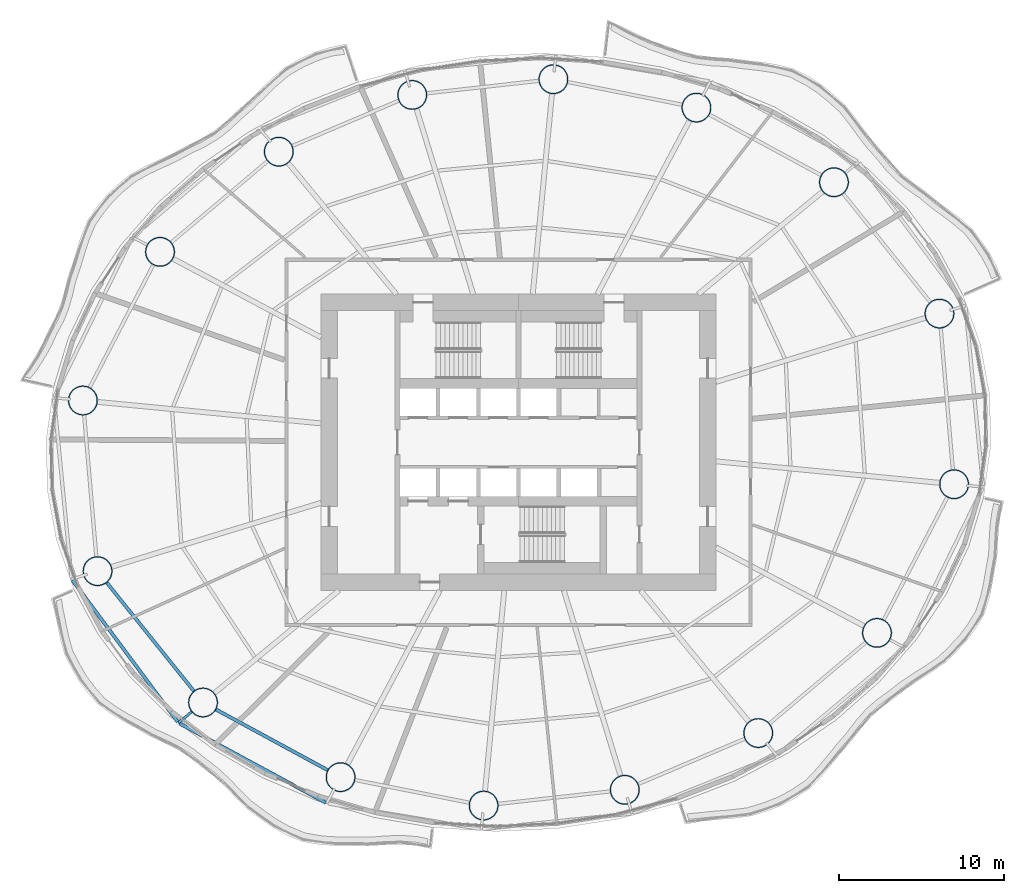
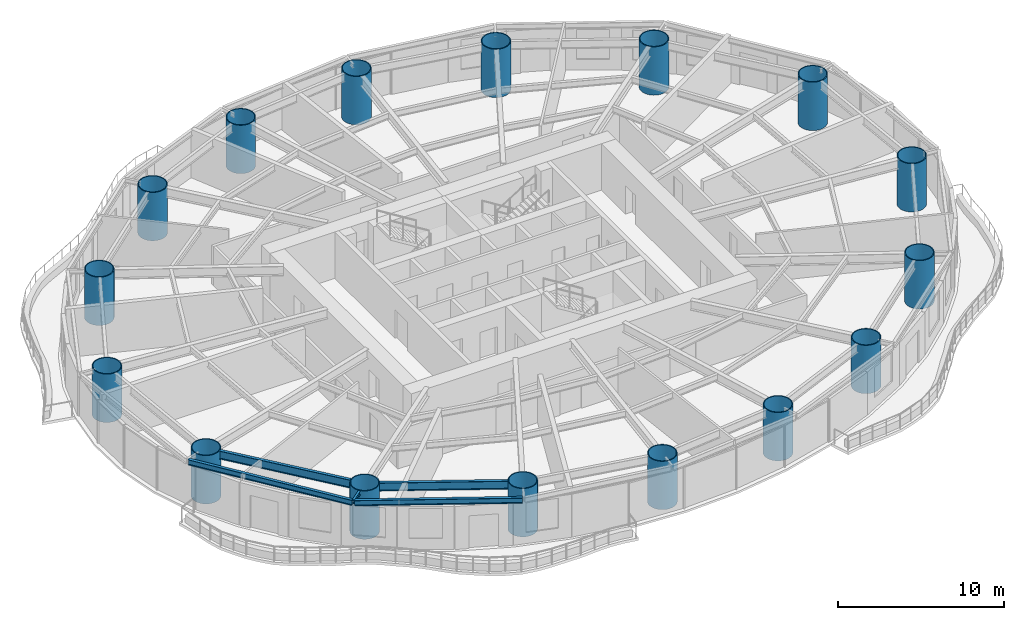
# One storey, part 1 of 16: 16 columns, 5 beams.
"""IFC4 building model written with IfcOpenShell, lengths in metres."""

import ifcopenshell
import ifcopenshell.guid

model = None  # the IFC model being written
_history = None  # IfcOwnerHistory: only IFC2X3 demands one
_inside = {}  # id of a spatial element -> (the spatial element, [elements in it])
_under = {}  # id of a project, library or spatial element -> (it, [spatial elements below it])
_declared = {}  # id of a project -> (the project, [libraries it declares])
_typed = {}  # id of a type object -> (the type object, [elements of that type])
_made_of = {}  # id of a material, layer set ... -> (it, [elements and type objects made of it])


def new_model(schema):
    """Start an empty IFC model of exactly this schema.

    Asked for "IFC4X3", IfcOpenShell would pick the latest addendum, in which some entities
    have other attributes; the version numbers below select the first issue.
    IFC2X3 requires an IfcOwnerHistory on every rooted entity: one is made here for all.
    """
    global model, _history
    if schema == "IFC4X3":
        model = ifcopenshell.file(schema_version=(4, 3, 0, 0))
    else:
        model = ifcopenshell.file(schema=schema)
    _inside.clear()
    _under.clear()
    _declared.clear()
    _typed.clear()
    _made_of.clear()
    _history = None
    if model.schema == "IFC2X3":
        org = make("IfcOrganization", Name="unknown")
        user = make(
            "IfcPersonAndOrganization",
            ThePerson=make("IfcPerson", FamilyName="unknown"),
            TheOrganization=org,
        )
        app = make(
            "IfcApplication",
            ApplicationDeveloper=org,
            Version="unknown",
            ApplicationFullName="unknown",
            ApplicationIdentifier="unknown",
        )
        _history = make(
            "IfcOwnerHistory",
            OwningUser=user,
            OwningApplication=app,
            ChangeAction="ADDED",
            CreationDate=0,
        )
    return model


def make(cls, **values):
    """One entity of the class cls with the attributes given. An attribute that is None is left unset."""
    return model.create_entity(
        cls, **{name: value for name, value in values.items() if value is not None}
    )


def rooted(cls, **values):
    """An entity with a GlobalId (a new one), such as an element, a storey or a relation."""
    return make(cls, GlobalId=ifcopenshell.guid.new(), OwnerHistory=_history, **values)


def si_unit(unit_type, name, prefix=None):
    """IfcSIUnit, for example si_unit("LENGTHUNIT", "METRE", prefix="MILLI")."""
    return make("IfcSIUnit", UnitType=unit_type, Prefix=prefix, Name=name)


def assignment(units):
    """IfcUnitAssignment: the units of a project."""
    return None if units is None else make("IfcUnitAssignment", Units=units)


def point(xyz):
    """IfcCartesianPoint."""
    return None if xyz is None else make("IfcCartesianPoint", Coordinates=xyz)


def direction(xyz):
    """IfcDirection."""
    return None if xyz is None else make("IfcDirection", DirectionRatios=xyz)


def frame(location, z_axis=None, x_axis=None):
    """IfcAxis2Placement3D, a coordinate frame: its origin and axes. An axis left out is left unset."""
    return make(
        "IfcAxis2Placement3D",
        Location=point(location),
        Axis=direction(z_axis),
        RefDirection=direction(x_axis),
    )


def frame_2d(location, x_axis=None):
    """IfcAxis2Placement2D, a coordinate frame in the plane: its origin and x axis."""
    return make(
        "IfcAxis2Placement2D", Location=point(location), RefDirection=direction(x_axis)
    )


def origin():
    """The frame at (0, 0, 0) with its axes left unset."""
    return frame((0.0, 0.0, 0.0))


def origin_2d():
    """The frame at (0, 0) in the plane with its x axis left unset."""
    return frame_2d((0.0, 0.0))


def place(relative_to, where):
    """IfcLocalPlacement: puts the frame where relative to a parent placement (None: the world)."""
    return make(
        "IfcLocalPlacement", PlacementRelTo=relative_to, RelativePlacement=where
    )


def context(
    kind, dimensions, precision=None, world=None, true_north=None, identifier=None
):
    """IfcGeometricRepresentationContext, for example the 3D "Model" context."""
    return make(
        "IfcGeometricRepresentationContext",
        ContextIdentifier=identifier,
        ContextType=kind,
        CoordinateSpaceDimension=dimensions,
        Precision=precision,
        WorldCoordinateSystem=world,
        TrueNorth=true_north,
    )


def subcontext(parent, identifier, kind, view, scale=None):
    """IfcGeometricRepresentationSubContext, for example "Body" below "Model"."""
    return make(
        "IfcGeometricRepresentationSubContext",
        ContextIdentifier=identifier,
        ContextType=kind,
        ParentContext=parent,
        TargetScale=scale,
        TargetView=view,
    )


def project(units=None, contexts=None):
    """IfcProject with its units and contexts."""
    return rooted(
        "IfcProject",
        Name="project",
        RepresentationContexts=contexts,
        UnitsInContext=assignment(units),
    )


def spatial(cls, under=None, at=None, **own):
    """A site, building, storey or space (cls), placed at a placement, below another one or the project."""
    s = rooted(cls, ObjectPlacement=at, **own)
    if under is not None:
        _under.setdefault(under.id(), (under, []))[1].append(s)
    return s


def profile(cls, at=None, kind="AREA", **sizes):
    """A parametric profile (cls). Its sizes go by their IFC names, for example OverallWidth=200.0."""
    return make(cls, ProfileType=kind, Position=at, **sizes)


def hollow_circle(**sizes):
    """IfcCircleHollowProfileDef."""
    return profile("IfcCircleHollowProfileDef", **sizes)


def i_section(**sizes):
    """IfcIShapeProfileDef."""
    return profile("IfcIShapeProfileDef", **sizes)


def extrude(swept, where, along, depth):
    """IfcExtrudedAreaSolid: the profile swept, set in the frame where, extruded along a direction by depth."""
    return make(
        "IfcExtrudedAreaSolid",
        SweptArea=swept,
        Position=where,
        ExtrudedDirection=direction(along),
        Depth=depth,
    )


def shape(context_of_items, identifier, shape_type, items):
    """IfcShapeRepresentation: the items that make up one representation, for example the "Body"."""
    return make(
        "IfcShapeRepresentation",
        ContextOfItems=context_of_items,
        RepresentationIdentifier=identifier,
        RepresentationType=shape_type,
        Items=items,
    )


def material(Name=None, Category=None):
    """IfcMaterial."""
    return make("IfcMaterial", Name=Name, Category=Category)


def material_profile(
    of_material, cross_section, Name=None, Category=None, Priority=None
):
    """IfcMaterialProfile: a cross section and its material."""
    return make(
        "IfcMaterialProfile",
        Name=Name,
        Material=of_material,
        Profile=cross_section,
        Priority=Priority,
        Category=Category,
    )


def profile_set(profiles, Name=None, composite=None):
    """IfcMaterialProfileSet."""
    return make(
        "IfcMaterialProfileSet",
        Name=Name,
        MaterialProfiles=profiles,
        CompositeProfile=composite,
    )


def made_of(thing, what):
    """Note that an element or type object is made of a material, layer set ...; save() writes the relation."""
    if what is not None:
        _made_of.setdefault(what.id(), (what, []))[1].append(thing)
    return thing


def type_object(cls, material=None, **own):
    """A type object (cls), such as IfcWallType, which elements share."""
    return made_of(rooted(cls, **own), material)


def element(
    cls,
    number,
    at=None,
    inside=None,
    cuts=None,
    type_object=None,
    material=None,
    context=None,
    identifier="Body",
    shape_type=None,
    held_by="IfcProductDefinitionShape",
    body=None,
    shapes=None,
    **own,
):
    """One element of the class cls, such as IfcWall. Its Tag is "e" and its number.

    at: its placement. inside: the storey or other place that contains it. cuts: it is an
    opening in that element (IfcRelVoidsElement). A single representation is given by context,
    identifier, shape_type and body (its items); several are given by shapes. held_by: the class
    of the entity that holds the representations. save() writes the other relations.
    """
    e = rooted(cls, Tag="e%d" % number, ObjectPlacement=at, **own)
    if body is not None:
        shapes = [shape(context, identifier, shape_type, body)]
    if shapes is not None:
        e.Representation = make(held_by, Representations=shapes)
    if inside is not None:
        _inside.setdefault(inside.id(), (inside, []))[1].append(e)
    if cuts is not None:
        rooted(
            "IfcRelVoidsElement", RelatingBuildingElement=cuts, RelatedOpeningElement=e
        )
    if type_object is not None:
        _typed.setdefault(type_object.id(), (type_object, []))[1].append(e)
    return made_of(e, material)


def aggregate(whole, parts):
    """IfcRelAggregates: a whole, such as a stair, and the parts it consists of."""
    return rooted("IfcRelAggregates", RelatingObject=whole, RelatedObjects=parts)


def save(model, path):
    """Write the relations noted so far, then the file.

    IfcRelAggregates (storeys below a building ...), IfcRelContainedInSpatialStructure (elements
    in a storey), IfcRelDefinesByType, IfcRelAssociatesMaterial and IfcRelDeclares: one each for
    every whole, place, type object, material and project.
    """
    for whole, parts in _under.values():
        aggregate(whole, parts)
    for where, things in _inside.values():
        rooted(
            "IfcRelContainedInSpatialStructure",
            RelatedElements=things,
            RelatingStructure=where,
        )
    for kind, things in _typed.values():
        rooted("IfcRelDefinesByType", RelatedObjects=things, RelatingType=kind)
    for what, things in _made_of.values():
        rooted("IfcRelAssociatesMaterial", RelatedObjects=things, RelatingMaterial=what)
    for by, libraries in _declared.values():
        rooted("IfcRelDeclares", RelatingContext=by, RelatedDefinitions=libraries)
    model.write(path)


model = new_model("IFC4")

# Units and contexts
model_context = context("Model", 3, precision=1e-05, world=origin(), true_north=direction((0.0, 1.0)))
body_context = subcontext(model_context, "Body", "Model", "MODEL_VIEW")
ifc_project = project(units=[si_unit("LENGTHUNIT", "METRE"), si_unit("AREAUNIT", "SQUARE_METRE"), si_unit("VOLUMEUNIT", "CUBIC_METRE"), si_unit("PLANEANGLEUNIT", "RADIAN"), si_unit("MASSUNIT", "GRAM", prefix="KILO")], contexts=[model_context])

# Site, building, storey
site_placement = place(None, origin())
site = spatial("IfcSite", under=ifc_project, at=site_placement, CompositionType="ELEMENT")
building_placement = place(site_placement, origin())
building = spatial("IfcBuilding", under=site, at=building_placement, Name="Vermilion Reach Broadcast Tower", CompositionType="ELEMENT")
storey_placement = place(building_placement, frame((0.0, 0.0, 58.199951171875)))
storey = spatial("IfcBuildingStorey", under=building, at=storey_placement, Name="L11", CompositionType="ELEMENT", Elevation=58.199951171875)

# Columns
ifc_material_1 = material(Name="Concrete C80 infill in steel S460NL tube", Category="concrete")
ifc_material_profile_1 = material_profile(ifc_material_1, hollow_circle(Radius=0.89990234375, WallThickness=0.06005859375, at=origin_2d()), Name="Concrete C80 infill in steel S460NL tube CFT 1800x60")
ifc_profile_set_1 = profile_set([ifc_material_profile_1], Name="Concrete C80 infill in steel S460NL tube")
column_type = type_object("IfcColumnType", Name="MC1 CFT 1800x60", PredefinedType="COLUMN", material=ifc_profile_set_1)
for number, where, z_axis, x_axis, name in (
    (1, (19.575439453125, 7.823974609375, 0.0), (0.0, 0.0, 1.0), (1.0, 0.0, 0.0), "Mega-column MC1-01"),
    (2, (13.166259765625, 15.804931640625, 0.0), (0.0, 0.0, 1.0), (1.0, 0.0, 0.0), "Mega-column MC1-02"),
    (3, (4.809814453125, 20.3388671875, 0.0), (0.0, 0.0, 1.0), (1.0, 0.0, 0.0), "Mega-column MC1-03"),
    (4, (-3.87939453125, 22.06396484375, 0.0), (0.0, 0.0, 1.0), (1.0, 0.0, 0.0), "Mega-column MC1-04"),
    (5, (-12.45751953125, 21.108154296875, 0.0), (0.0, 0.0, 1.0), (1.0, 0.0, 0.0), "Mega-column MC1-05"),
    (6, (-20.563232421875, 17.660400390625, 0.0), (0.0, 0.0, 1.0), (1.0, 0.0, 0.0), "Mega-column MC1-06"),
    (7, (-27.77978515625, 11.57568359375, 0.0), (0.0, 0.0, 1.0), (1.0, 0.0, 0.0), "Mega-column MC1-07"),
    (8, (-32.464111328125, 2.54345703125, 0.0), (0.0, 0.0, 1.0), (1.0, 0.0, 0.0), "Mega-column MC1-08"),
    (9, (-31.575439453125, -7.823974609375, 0.0), (0.0, 0.0, 1.0), (1.0, 0.0, 0.0), "Mega-column MC1-09"),
    (10, (-25.166259765625, -15.804931640625, 0.0), (0.0, 0.0, 1.0), (1.0, 0.0, 0.0), "Mega-column MC1-10"),
    (11, (-16.809814453125, -20.3388671875, 0.0), (0.0, 0.0, 1.0), (1.0, 0.0, 0.0), "Mega-column MC1-11"),
    (12, (-8.12060546875, -22.06396484375, 0.0), (0.0, 0.0, 1.0), (1.0, 0.0, 0.0), "Mega-column MC1-12"),
    (13, (0.45751953125, -21.108154296875, 0.0), (0.0, 0.0, 1.0), (1.0, 0.0, 0.0), "Mega-column MC1-13"),
    (14, (8.563232421875, -17.660400390625, 0.0), (0.0, 0.0, 1.0), (1.0, 0.0, 0.0), "Mega-column MC1-14"),
    (15, (15.77978515625, -11.57568359375, 0.0), (0.0, 0.0, 1.0), (1.0, 0.0, 0.0), "Mega-column MC1-15"),
    (16, (20.464111328125, -2.54345703125, 0.0), (0.0, 0.0, 1.0), (1.0, 0.0, 0.0), "Mega-column MC1-16"),
):
    element("IfcColumn", number, at=place(storey_placement, frame(where, z_axis=z_axis, x_axis=x_axis)), inside=storey, type_object=column_type, Name=name, PredefinedType="COLUMN", context=body_context, shape_type="SweptSolid", body=[
        extrude(hollow_circle(Radius=0.89990234375, WallThickness=0.06005859375, at=origin_2d()), origin(), (0.0, 0.0, 1.0), 3.550048828125),
    ])

# Beams
ifc_material_2 = material(Name="Steel S355J2", Category="steel")
ifc_material_profile_2 = material_profile(ifc_material_2, i_section(OverallWidth=0.199951171875, OverallDepth=0.39990234375, WebThickness=0.008056640625, FlangeThickness=0.012939453125, at=origin_2d()), Name="S355J2 HN 400x200x8x13")
ifc_profile_set_2 = profile_set([ifc_material_profile_2], Name="Steel S355J2")
beam_type_1 = type_object("IfcBeamType", Name="EB1 HN 400x200x8x13", PredefinedType="BEAM", material=ifc_profile_set_2)
beam_1_placement = place(storey_placement, frame((-33.105712890625, -8.37060546875, 3.35009765625), z_axis=(0.596370099532, -0.802709601527, 0.0), x_axis=(0.802709601527, 0.596370099532, 0.0)))
element("IfcBeam", 17, at=beam_1_placement, inside=storey, type_object=beam_type_1, Name="Edge beam EB1-09", PredefinedType="BEAM", context=body_context, shape_type="SweptSolid", body=[
    extrude(i_section(OverallWidth=0.199951171875, OverallDepth=0.39990234375, WebThickness=0.008056640625, FlangeThickness=0.012939453125, at=origin_2d()), origin(), (0.0, 0.0, 1.0), 10.7255859375),
])
beam_2_placement = place(storey_placement, frame((-26.59326171875, -17.0791015625, 3.35009765625), z_axis=(0.87918179165, -0.476486492182, 0.0), x_axis=(0.476486492182, 0.87918179165, 0.0)))
element("IfcBeam", 18, at=beam_2_placement, inside=storey, type_object=beam_type_1, Name="Edge beam EB1-10", PredefinedType="BEAM", context=body_context, shape_type="SweptSolid", body=[
    extrude(i_section(OverallWidth=0.199951171875, OverallDepth=0.39990234375, WebThickness=0.008056640625, FlangeThickness=0.012939453125, at=origin_2d()), origin(), (0.0, 0.0, 1.0), 10.09423828125),
])
ifc_material_3 = material(Name="Steel S355J2", Category="steel")
ifc_material_profile_3 = material_profile(ifc_material_3, i_section(OverallWidth=0.14990234375, OverallDepth=0.300048828125, WebThickness=0.006591796875, FlangeThickness=0.009033203125, at=origin_2d()), Name="S355J2 HN 300x150x6.5x9")
ifc_profile_set_3 = profile_set([ifc_material_profile_3], Name="Steel S355J2")
beam_type_2 = type_object("IfcBeamType", Name="GS1 HN 300x150x6.5x9", PredefinedType="BEAM", material=ifc_profile_set_3)
beam_3_placement = place(storey_placement, frame((-25.860595703125, -16.377685546875, 3.400146484375), z_axis=(-0.771571647944, -0.636142430662, 0.0), x_axis=(0.636142430662, -0.771571647944, 0.0)))
element("IfcBeam", 19, at=beam_3_placement, inside=storey, type_object=beam_type_2, Name="Cantilever stub GS1-10", PredefinedType="BEAM", context=body_context, shape_type="SweptSolid", body=[
    extrude(i_section(OverallWidth=0.14990234375, OverallDepth=0.300048828125, WebThickness=0.006591796875, FlangeThickness=0.009033203125, at=origin_2d()), origin(), (0.0, 0.0, 1.0), 1.0419921875),
])
ifc_material_4 = material(Name="Steel S355J2", Category="steel")
ifc_material_profile_4 = material_profile(ifc_material_4, i_section(OverallWidth=0.199951171875, OverallDepth=0.60009765625, WebThickness=0.010986328125, FlangeThickness=0.01708984375, at=origin_2d()), Name="S355J2 HN 600x200x11x17")
ifc_profile_set_4 = profile_set([ifc_material_profile_4], Name="Steel S355J2")
beam_type_3 = type_object("IfcBeamType", Name="RB1 HN 600x200x11x17", PredefinedType="BEAM", material=ifc_profile_set_4)
beam_4_placement = place(storey_placement, frame((-31.011962890625, -8.52587890625, 3.25), z_axis=(0.626162157191, -0.779692858055, 0.0), x_axis=(0.779692858055, 0.626162157191, 0.0)))
element("IfcBeam", 20, at=beam_4_placement, inside=storey, type_object=beam_type_3, Name="Ring beam RB1-09", PredefinedType="BEAM", context=body_context, shape_type="SweptSolid", body=[
    extrude(i_section(OverallWidth=0.199951171875, OverallDepth=0.60009765625, WebThickness=0.010986328125, FlangeThickness=0.01708984375, at=origin_2d()), origin(), (0.0, 0.0, 1.0), 8.435791015625),
])
beam_5_placement = place(storey_placement, frame((-24.375244140625, -16.234130859375, 3.25), z_axis=(0.878962319551, -0.476891225344, 0.0), x_axis=(0.476891225344, 0.878962319551, 0.0)))
element("IfcBeam", 21, at=beam_5_placement, inside=storey, type_object=beam_type_3, Name="Ring beam RB1-10", PredefinedType="BEAM", context=body_context, shape_type="SweptSolid", body=[
    extrude(i_section(OverallWidth=0.199951171875, OverallDepth=0.60009765625, WebThickness=0.010986328125, FlangeThickness=0.01708984375, at=origin_2d()), origin(), (0.0, 0.0, 1.0), 7.707275390625),
])

save(model, "model.ifc")
